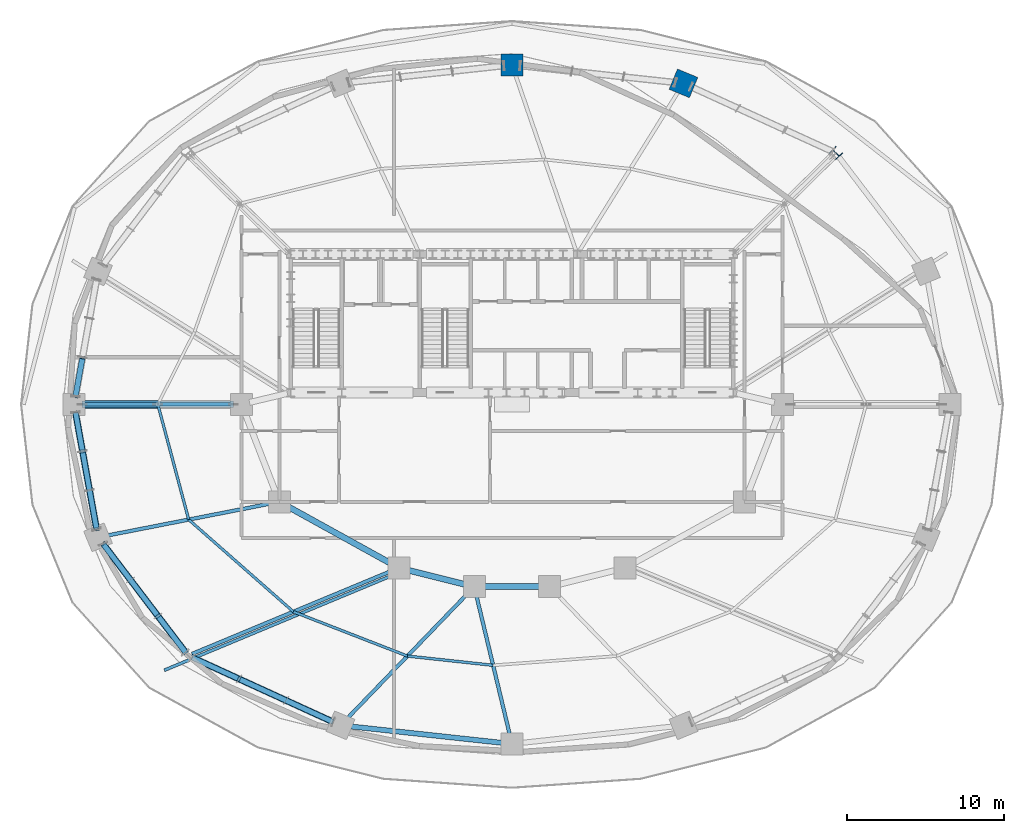
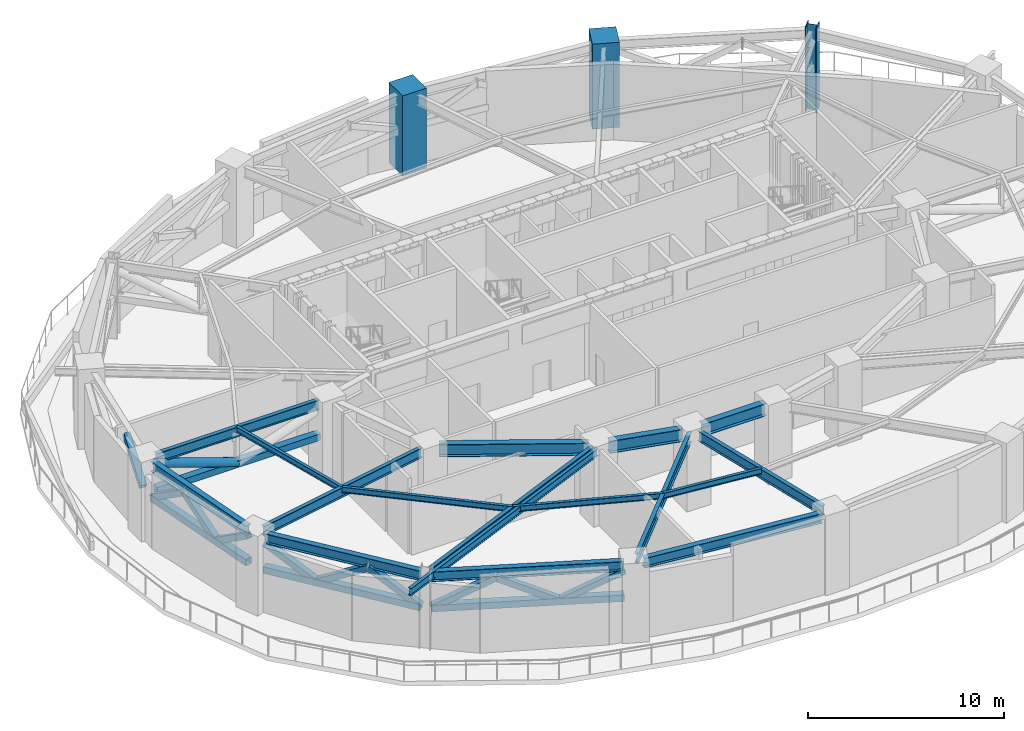
# One storey, part 2 of 18: 17 beams, 15 members, 3 columns.
"""IFC4 building model written with IfcOpenShell, lengths in metres."""

from ifc_helpers import new_model, si_unit, direction, frame, origin, origin_2d, place, context, subcontext, project, spatial, rectangle, hollow_rectangle, hollow_circle, i_section, extrude, material, material_profile, profile_set, type_object, element, save


model = new_model("IFC4")

# Units and contexts
model_context = context("Model", 3, precision=1e-05, world=origin(), true_north=direction((0.0, 1.0)))
body_context = subcontext(model_context, "Body", "Model", "MODEL_VIEW")
ifc_project = project(units=[si_unit("LENGTHUNIT", "METRE"), si_unit("AREAUNIT", "SQUARE_METRE"), si_unit("VOLUMEUNIT", "CUBIC_METRE"), si_unit("PLANEANGLEUNIT", "RADIAN"), si_unit("MASSUNIT", "GRAM", prefix="KILO")], contexts=[model_context])

# Site, building, storey
site_placement = place(None, origin())
site = spatial("IfcSite", under=ifc_project, at=site_placement, CompositionType="ELEMENT")
building_placement = place(site_placement, origin())
building = spatial("IfcBuilding", under=site, at=building_placement, Name="Haldorwick Loom Tower", CompositionType="ELEMENT")
storey_placement = place(building_placement, frame((0.0, 0.0, 76.800048828125)))
storey = spatial("IfcBuildingStorey", under=building, at=storey_placement, Name="L20", CompositionType="ELEMENT", Elevation=76.800048828125)

# Columns
ifc_material_1 = material(Name="Concrete C60 (60 MPa)", Category="concrete")
ifc_material_profile_1 = material_profile(ifc_material_1, rectangle(XDim=1.39990234375, YDim=1.39990234375, at=origin_2d()), Name="RC1400X1400", Category="concrete")
ifc_profile_set_1 = profile_set([ifc_material_profile_1], Name="Concrete C60 (60 MPa)")
column_type_1 = type_object("IfcColumnType", Name="STR-COL-RC1400", PredefinedType="PILASTER", material=ifc_profile_set_1)
column_1_placement = place(storey_placement, frame((46.906494140625, 46.417724609375, -0.300048828125), z_axis=(0.0, 0.0, 1.0), x_axis=(0.382683432365, 0.923879532511, 0.0)))
element("IfcColumn", 1, at=column_1_placement, inside=storey, type_object=column_type_1, Name="L20 Perimeter Pier Column P04", PredefinedType="PILASTER", context=body_context, shape_type="SweptSolid", body=[
    extrude(rectangle(XDim=1.39990234375, YDim=1.39990234375, at=origin_2d()), origin(), (0.0, 0.0, 1.0), 5.300048828125),
])
column_2_placement = place(storey_placement, frame((36.0, 47.598388671875, 0.0), z_axis=(0.0, 0.0, 1.0), x_axis=(0.0, 1.0, 0.0)))
element("IfcColumn", 2, at=column_2_placement, inside=storey, type_object=column_type_1, Name="L20 Perimeter Pier Column P05", PredefinedType="PILASTER", context=body_context, shape_type="SweptSolid", body=[
    extrude(rectangle(XDim=1.39990234375, YDim=1.39990234375, at=origin_2d()), origin(), (0.0, 0.0, 1.0), 5.0),
])
ifc_material_2 = material(Name="Steel CSA G40.21 350WT", Category="steel")
ifc_material_profile_2 = material_profile(ifc_material_2, i_section(OverallWidth=0.60009765625, OverallDepth=0.60009765625, WebThickness=0.02490234375, FlangeThickness=0.035888671875, at=origin_2d()), Name="WWF600X600", Category="steel")
ifc_profile_set_2 = profile_set([ifc_material_profile_2], Name="Steel CSA G40.21 350WT")
column_type_2 = type_object("IfcColumnType", Name="STR-COL-WWF600", PredefinedType="COLUMN", material=ifc_profile_set_2)
column_3_placement = place(storey_placement, frame((56.606689453125, 41.981689453125, -0.300048828125), z_axis=(0.0, 0.0, 1.0), x_axis=(0.707106781187, 0.707106781187, 0.0)))
element("IfcColumn", 3, at=column_3_placement, inside=storey, type_object=column_type_2, Name="L20 Perimeter Pier Column P03", PredefinedType="COLUMN", context=body_context, shape_type="SweptSolid", body=[
    extrude(i_section(OverallWidth=0.60009765625, OverallDepth=0.60009765625, WebThickness=0.02490234375, FlangeThickness=0.035888671875, at=origin_2d()), origin(), (0.0, 0.0, 1.0), 5.300048828125),
])

# Beams
ifc_material_3 = material(Name="Steel CSA G40.21 350W", Category="steel")
ifc_material_profile_3 = material_profile(ifc_material_3, i_section(OverallWidth=0.193115234375, OverallDepth=0.466064453125, WebThickness=0.011474609375, FlangeThickness=0.01904296875, at=origin_2d()), Name="W460X97", Category="steel")
ifc_profile_set_3 = profile_set([ifc_material_profile_3], Name="Steel CSA G40.21 350W")
beam_type_1 = type_object("IfcBeamType", Name="STR-BM-BAL460", PredefinedType="BEAM", material=ifc_profile_set_3)
beam_1_placement = place(storey_placement, frame((28.427490234375, 15.1416015625, 4.52685546875), z_axis=(-0.923185561192, -0.38435454935, 0.0), x_axis=(0.38435454935, -0.923185561192, 0.0)))
element("IfcBeam", 4, at=beam_1_placement, inside=storey, type_object=beam_type_1, Name="L20 Continuous Back-Spanned Balcony Beam 2", PredefinedType="BEAM", context=body_context, shape_type="SweptSolid", body=[
    extrude(i_section(OverallWidth=0.193115234375, OverallDepth=0.466064453125, WebThickness=0.011474609375, FlangeThickness=0.01904296875, at=origin_2d()), origin(), (0.0, 0.0, 1.0), 15.752197265625),
])
ifc_material_profile_4 = material_profile(ifc_material_3, i_section(OverallWidth=0.172119140625, OverallDepth=0.35791015625, WebThickness=0.0078125, FlangeThickness=0.01318359375, at=origin_2d()), Name="W360X57", Category="steel")
ifc_profile_set_4 = profile_set([ifc_material_profile_4], Name="Steel CSA G40.21 350W")
beam_type_2 = type_object("IfcBeamType", Name="STR-BM-J360", PredefinedType="JOIST", material=ifc_profile_set_4)
beam_2_placement = place(storey_placement, frame((13.47119140625, 26.0, 4.5810546875), z_axis=(0.258810072536, -0.965928230436, 0.0), x_axis=(0.965928230436, 0.258810072536, 0.0)))
element("IfcBeam", 5, at=beam_2_placement, inside=storey, type_object=beam_type_2, Name="L20 Mid-Bay Secondary Joist 9", PredefinedType="JOIST", context=body_context, shape_type="SweptSolid", body=[
    extrude(i_section(OverallWidth=0.172119140625, OverallDepth=0.35791015625, WebThickness=0.0078125, FlangeThickness=0.01318359375, at=origin_2d()), origin(), (0.0, 0.0, 1.0), 7.587158203125),
])
beam_3_placement = place(storey_placement, frame((15.434814453125, 18.67138671875, 4.5810546875), z_axis=(0.750721157729, -0.660619212057, 0.0), x_axis=(0.660619212057, 0.750721157729, 0.0)))
element("IfcBeam", 6, at=beam_3_placement, inside=storey, type_object=beam_type_2, Name="L20 Mid-Bay Secondary Joist 10", PredefinedType="JOIST", context=body_context, shape_type="SweptSolid", body=[
    extrude(i_section(OverallWidth=0.172119140625, OverallDepth=0.35791015625, WebThickness=0.0078125, FlangeThickness=0.01318359375, at=origin_2d()), origin(), (0.0, 0.0, 1.0), 8.8740234375),
])
beam_4_placement = place(storey_placement, frame((22.0966796875, 12.80908203125, 4.5810546875), z_axis=(0.932072983051, -0.362270553959, 0.0), x_axis=(0.362270553959, 0.932072983051, 0.0)))
element("IfcBeam", 7, at=beam_4_placement, inside=storey, type_object=beam_type_2, Name="L20 Mid-Bay Secondary Joist 11", PredefinedType="JOIST", context=body_context, shape_type="SweptSolid", body=[
    extrude(i_section(OverallWidth=0.172119140625, OverallDepth=0.35791015625, WebThickness=0.0078125, FlangeThickness=0.01318359375, at=origin_2d()), origin(), (0.0, 0.0, 1.0), 7.7783203125),
])
beam_5_placement = place(storey_placement, frame((29.3466796875, 9.9912109375, 4.5810546875), z_axis=(0.994191869342, -0.107622148904, 0.0), x_axis=(0.107622148904, 0.994191869342, 0.0)))
element("IfcBeam", 8, at=beam_5_placement, inside=storey, type_object=beam_type_2, Name="L20 Mid-Bay Secondary Joist 12", PredefinedType="JOIST", context=body_context, shape_type="SweptSolid", body=[
    extrude(i_section(OverallWidth=0.172119140625, OverallDepth=0.35791015625, WebThickness=0.0078125, FlangeThickness=0.01318359375, at=origin_2d()), origin(), (0.0, 0.0, 1.0), 5.485107421875),
])
ifc_material_profile_5 = material_profile(ifc_material_3, i_section(OverallWidth=0.324951171875, OverallDepth=0.615966796875, WebThickness=0.013916015625, FlangeThickness=0.021484375, at=origin_2d()), Name="W610X174", Category="steel")
ifc_profile_set_5 = profile_set([ifc_material_profile_5], Name="Steel CSA G40.21 350W")
beam_type_3 = type_object("IfcBeamType", Name="STR-BM-SP610", PredefinedType="SPANDREL", material=ifc_profile_set_5)
beam_6_placement = place(storey_placement, frame((8.23486328125, 25.48828125, 4.451904296875), z_axis=(0.177659490888, -0.984092020747, 0.0), x_axis=(0.984092020747, 0.177659490888, 0.0)))
element("IfcBeam", 9, at=beam_6_placement, inside=storey, type_object=beam_type_3, Name="L20 Perimeter Spandrel 9", PredefinedType="SPANDREL", context=body_context, shape_type="SweptSolid", body=[
    extrude(i_section(OverallWidth=0.324951171875, OverallDepth=0.615966796875, WebThickness=0.013916015625, FlangeThickness=0.021484375, at=origin_2d()), origin(), (0.0, 0.0, 1.0), 7.553955078125),
])
beam_7_placement = place(storey_placement, frame((9.984130859375, 17.12890625, 4.451904296875), z_axis=(0.605453508047, -0.795880675475, 0.0), x_axis=(0.795880675475, 0.605453508047, 0.0)))
element("IfcBeam", 10, at=beam_7_placement, inside=storey, type_object=beam_type_3, Name="L20 Perimeter Spandrel 10", PredefinedType="SPANDREL", context=body_context, shape_type="SweptSolid", body=[
    extrude(i_section(OverallWidth=0.324951171875, OverallDepth=0.615966796875, WebThickness=0.013916015625, FlangeThickness=0.021484375, at=origin_2d()), origin(), (0.0, 0.0, 1.0), 8.6591796875),
])
beam_8_placement = place(storey_placement, frame((15.643310546875, 9.90380859375, 4.451904296875), z_axis=(0.909423969306, -0.415870225011, 0.0), x_axis=(0.415870225011, 0.909423969306, 0.0)))
element("IfcBeam", 11, at=beam_8_placement, inside=storey, type_object=beam_type_3, Name="L20 Perimeter Spandrel 11", PredefinedType="SPANDREL", context=body_context, shape_type="SweptSolid", body=[
    extrude(i_section(OverallWidth=0.324951171875, OverallDepth=0.615966796875, WebThickness=0.013916015625, FlangeThickness=0.021484375, at=origin_2d()), origin(), (0.0, 0.0, 1.0), 9.871337890625),
])
beam_9_placement = place(storey_placement, frame((25.610595703125, 5.5263671875, 4.451904296875), z_axis=(0.994190135627, -0.107638163409, 0.0), x_axis=(0.107638163409, 0.994190135627, 0.0)))
element("IfcBeam", 12, at=beam_9_placement, inside=storey, type_object=beam_type_3, Name="L20 Perimeter Spandrel 12", PredefinedType="SPANDREL", context=body_context, shape_type="SweptSolid", body=[
    extrude(i_section(OverallWidth=0.324951171875, OverallDepth=0.615966796875, WebThickness=0.013916015625, FlangeThickness=0.021484375, at=origin_2d()), origin(), (0.0, 0.0, 1.0), 9.929931640625),
])
ifc_material_profile_6 = material_profile(ifc_material_3, i_section(OverallWidth=0.22998046875, OverallDepth=0.616943359375, WebThickness=0.01318359375, FlangeThickness=0.022216796875, at=origin_2d()), Name="W610X140", Category="steel")
ifc_profile_set_6 = profile_set([ifc_material_profile_6], Name="Steel CSA G40.21 350W")
beam_type_4 = type_object("IfcBeamType", Name="STR-BM-W610B", PredefinedType="BEAM", material=ifc_profile_set_6)
beam_10_placement = place(storey_placement, frame((18.280029296875, 26.0, 4.451416015625), z_axis=(-1.0, 0.0, 0.0), x_axis=(0.0, -1.0, 0.0)))
element("IfcBeam", 13, at=beam_10_placement, inside=storey, type_object=beam_type_4, Name="L20 Radial Floor Girder 9", PredefinedType="BEAM", context=body_context, shape_type="SweptSolid", body=[
    extrude(i_section(OverallWidth=0.22998046875, OverallDepth=0.616943359375, WebThickness=0.01318359375, FlangeThickness=0.022216796875, at=origin_2d()), origin(), (0.0, 0.0, 1.0), 9.61767578125),
])
beam_11_placement = place(storey_placement, frame((20.689697265625, 19.7001953125, 4.451416015625), z_axis=(-0.981369581426, -0.192129499692, 0.0), x_axis=(0.192129499692, -0.981369581426, 0.0)))
element("IfcBeam", 14, at=beam_11_placement, inside=storey, type_object=beam_type_4, Name="L20 Radial Floor Girder 10", PredefinedType="BEAM", context=body_context, shape_type="SweptSolid", body=[
    extrude(i_section(OverallWidth=0.22998046875, OverallDepth=0.616943359375, WebThickness=0.01318359375, FlangeThickness=0.022216796875, at=origin_2d()), origin(), (0.0, 0.0, 1.0), 10.70947265625),
])
beam_12_placement = place(storey_placement, frame((28.31982421875, 15.400146484375, 4.451416015625), z_axis=(-0.923183704764, -0.384359008297, 0.0), x_axis=(0.384359008297, -0.923183704764, 0.0)))
element("IfcBeam", 15, at=beam_12_placement, inside=storey, type_object=beam_type_4, Name="L20 Radial Floor Girder 11", PredefinedType="BEAM", context=body_context, shape_type="SweptSolid", body=[
    extrude(i_section(OverallWidth=0.22998046875, OverallDepth=0.616943359375, WebThickness=0.01318359375, FlangeThickness=0.022216796875, at=origin_2d()), origin(), (0.0, 0.0, 1.0), 13.72705078125),
])
beam_13_placement = place(storey_placement, frame((33.239013671875, 14.02587890625, 4.451416015625), z_axis=(-0.694287071595, -0.719698174387, 0.0), x_axis=(0.719698174387, -0.694287071595, 0.0)))
element("IfcBeam", 16, at=beam_13_placement, inside=storey, type_object=beam_type_4, Name="L20 Radial Floor Girder 12", PredefinedType="BEAM", context=body_context, shape_type="SweptSolid", body=[
    extrude(i_section(OverallWidth=0.22998046875, OverallDepth=0.616943359375, WebThickness=0.01318359375, FlangeThickness=0.022216796875, at=origin_2d()), origin(), (0.0, 0.0, 1.0), 11.212158203125),
])
beam_14_placement = place(storey_placement, frame((33.721435546875, 13.894287109375, 4.451416015625), z_axis=(0.233406920764, -0.972379148964, 0.0), x_axis=(0.972379148964, 0.233406920764, 0.0)))
element("IfcBeam", 17, at=beam_14_placement, inside=storey, type_object=beam_type_4, Name="L20 Radial Floor Girder 13", PredefinedType="BEAM", context=body_context, shape_type="SweptSolid", body=[
    extrude(i_section(OverallWidth=0.22998046875, OverallDepth=0.616943359375, WebThickness=0.01318359375, FlangeThickness=0.022216796875, at=origin_2d()), origin(), (0.0, 0.0, 1.0), 9.242431640625),
])
ifc_material_profile_7 = material_profile(ifc_material_3, i_section(OverallWidth=0.381103515625, OverallDepth=0.77294921875, WebThickness=0.0166015625, FlangeThickness=0.027587890625, at=origin_2d()), Name="W760X257", Category="steel")
ifc_profile_set_7 = profile_set([ifc_material_profile_7], Name="Steel CSA G40.21 350W")
beam_type_5 = type_object("IfcBeamType", Name="STR-BM-W760", PredefinedType="BEAM", material=ifc_profile_set_7)
beam_15_placement = place(storey_placement, frame((37.8798828125, 14.39990234375, 4.37353515625), z_axis=(-1.0, 0.0, 0.0), x_axis=(0.0, -1.0, 0.0)))
element("IfcBeam", 18, at=beam_15_placement, inside=storey, type_object=beam_type_5, Name="L20 Inner Ring Girder 5", PredefinedType="BEAM", context=body_context, shape_type="SweptSolid", body=[
    extrude(i_section(OverallWidth=0.381103515625, OverallDepth=0.77294921875, WebThickness=0.0166015625, FlangeThickness=0.027587890625, at=origin_2d()), origin(), (0.0, 0.0, 1.0), 3.759765625),
])
beam_16_placement = place(storey_placement, frame((33.095458984375, 14.526123046875, 4.37353515625), z_axis=(-0.970142500145, 0.242535625036, 0.0), x_axis=(-0.242535625036, -0.970142500145, 0.0)))
element("IfcBeam", 19, at=beam_16_placement, inside=storey, type_object=beam_type_5, Name="L20 Inner Ring Girder 6", PredefinedType="BEAM", context=body_context, shape_type="SweptSolid", body=[
    extrude(i_section(OverallWidth=0.381103515625, OverallDepth=0.77294921875, WebThickness=0.0166015625, FlangeThickness=0.027587890625, at=origin_2d()), origin(), (0.0, 0.0, 1.0), 3.90771484375),
])
beam_17_placement = place(storey_placement, frame((28.344970703125, 15.8515625, 4.37353515625), z_axis=(-0.875244382146, 0.483680960471, 0.0), x_axis=(-0.483680960471, -0.875244382146, 0.0)))
element("IfcBeam", 20, at=beam_17_placement, inside=storey, type_object=beam_type_5, Name="L20 Inner Ring Girder 7", PredefinedType="BEAM", context=body_context, shape_type="SweptSolid", body=[
    extrude(i_section(OverallWidth=0.381103515625, OverallDepth=0.77294921875, WebThickness=0.0166015625, FlangeThickness=0.027587890625, at=origin_2d()), origin(), (0.0, 0.0, 1.0), 7.6435546875),
])

# Members
ifc_material_profile_8 = material_profile(ifc_material_3, hollow_rectangle(XDim=0.355712890625, YDim=0.355712890625, WallThickness=0.015869140625, at=origin_2d()), Name="HSS356X356X16", Category="steel")
ifc_profile_set_8 = profile_set([ifc_material_profile_8], Name="Steel CSA G40.21 350W")
member_type_1 = type_object("IfcMemberType", Name="STR-MEM-BR356", PredefinedType="BRACE", material=ifc_profile_set_8)
for number, where, z_axis, x_axis, name in (
    (21, (8.68212890625, 28.98974609375, 4.14404296875), (-0.148729188823, -0.8240181586, -0.546693426602), (0.984098690471, -0.177622541965, 0.0), "L20 Perimeter Belt Truss Web Diagonal 8-3"),
    (22, (8.23486328125, 25.48828125, 2.5), (0.148729188823, -0.8240181586, 0.546693426602), (0.984098690471, 0.177622541965, 0.0), "L20 Perimeter Belt Truss Web Diagonal 9-1"),
):
    element("IfcMember", number, at=place(storey_placement, frame(where, z_axis=z_axis, x_axis=x_axis)), inside=storey, type_object=member_type_1, Name=name, PredefinedType="BRACE", context=body_context, shape_type="SweptSolid", body=[
        extrude(hollow_rectangle(XDim=0.355712890625, YDim=0.355712890625, WallThickness=0.015869140625, at=origin_2d()), origin(), (0.0, 0.0, 1.0), 3.00732421875),
    ])
member_1_placement = place(storey_placement, frame((8.68212890625, 23.01025390625, 4.14404296875), z_axis=(0.148818530754, -0.823982143275, -0.546723396671), x_axis=(0.984078676094, 0.177733393761, 0.0)))
element("IfcMember", 23, at=member_1_placement, inside=storey, type_object=member_type_1, Name="L20 Perimeter Belt Truss Web Diagonal 9-2", PredefinedType="BRACE", context=body_context, shape_type="SweptSolid", body=[
    extrude(hollow_rectangle(XDim=0.355712890625, YDim=0.355712890625, WallThickness=0.015869140625, at=origin_2d()), origin(), (0.0, 0.0, 1.0), 3.007080078125),
])
member_2_placement = place(storey_placement, frame((9.129638671875, 20.532470703125, 2.5), z_axis=(0.148729188823, -0.8240181586, 0.546693426602), x_axis=(0.984098690471, 0.177622541965, 0.0)))
element("IfcMember", 24, at=member_2_placement, inside=storey, type_object=member_type_1, Name="L20 Perimeter Belt Truss Web Diagonal 9-3", PredefinedType="BRACE", context=body_context, shape_type="SweptSolid", body=[
    extrude(hollow_rectangle(XDim=0.355712890625, YDim=0.355712890625, WallThickness=0.015869140625, at=origin_2d()), origin(), (0.0, 0.0, 1.0), 3.00732421875),
])
for number, where, z_axis, x_axis, name in (
    (25, (9.984130859375, 17.12890625, 4.14404296875), (0.526079233479, -0.691590610092, -0.49491723362), (0.795901344986, 0.6054263366, 0.0), "L20 Perimeter Belt Truss Web Diagonal 10-1"),
    (26, (11.731689453125, 14.83154296875, 2.5), (0.526105973993, -0.691552264501, 0.494942390175), (0.795870339675, 0.60546709442, 0.0), "L20 Perimeter Belt Truss Web Diagonal 10-2"),
    (27, (13.479248046875, 12.534423828125, 4.14404296875), (0.526105973993, -0.691552264501, -0.494942390175), (0.795870339675, 0.60546709442, 0.0), "L20 Perimeter Belt Truss Web Diagonal 10-3"),
):
    element("IfcMember", number, at=place(storey_placement, frame(where, z_axis=z_axis, x_axis=x_axis)), inside=storey, type_object=member_type_1, Name=name, PredefinedType="BRACE", context=body_context, shape_type="SweptSolid", body=[
        extrude(hollow_rectangle(XDim=0.355712890625, YDim=0.355712890625, WallThickness=0.015869140625, at=origin_2d()), origin(), (0.0, 0.0, 1.0), 3.32177734375),
    ])
for number, where, z_axis, x_axis, name in (
    (28, (15.643310546875, 9.90380859375, 2.5), (0.813531343432, -0.372019513742, 0.446954398847), (0.415870225011, 0.909423969306, 0.0), "L20 Perimeter Belt Truss Web Diagonal 11-1"),
    (29, (18.6357421875, 8.535400390625, 4.14404296875), (0.813531343432, -0.372019513742, -0.446954398847), (0.415870225011, 0.909423969306, 0.0), "L20 Perimeter Belt Truss Web Diagonal 11-2"),
    (30, (21.628173828125, 7.1669921875, 2.5), (0.813531343432, -0.372019513742, 0.446954398847), (0.415870225011, 0.909423969306, 0.0), "L20 Perimeter Belt Truss Web Diagonal 11-3"),
):
    element("IfcMember", number, at=place(storey_placement, frame(where, z_axis=z_axis, x_axis=x_axis)), inside=storey, type_object=member_type_1, Name=name, PredefinedType="BRACE", context=body_context, shape_type="SweptSolid", body=[
        extrude(hollow_rectangle(XDim=0.355712890625, YDim=0.355712890625, WallThickness=0.015869140625, at=origin_2d()), origin(), (0.0, 0.0, 1.0), 3.67822265625),
    ])
ifc_material_profile_9 = material_profile(ifc_material_3, hollow_circle(Radius=0.25390625, WallThickness=0.015869140625, at=origin_2d()), Name="HSS508X16", Category="steel")
ifc_profile_set_9 = profile_set([ifc_material_profile_9], Name="Steel CSA G40.21 350W")
member_type_2 = type_object("IfcMemberType", Name="STR-MEM-BR508", PredefinedType="BRACE", material=ifc_profile_set_9)
member_3_placement = place(storey_placement, frame((13.47119140625, 26.0, 2.5), z_axis=(-0.946288205536, 0.0, 0.32332434499), x_axis=(0.0, -1.0, 0.0)))
element("IfcMember", 31, at=member_3_placement, inside=storey, type_object=member_type_2, Name="L20 Outrigger OT-W Outer Diagonal", PredefinedType="BRACE", context=body_context, shape_type="SweptSolid", body=[
    extrude(hollow_circle(Radius=0.25390625, WallThickness=0.015869140625, at=origin_2d()), origin(), (0.0, 0.0, 1.0), 5.081787109375),
])
ifc_material_profile_10 = material_profile(ifc_material_3, hollow_rectangle(XDim=0.406494140625, YDim=0.406494140625, WallThickness=0.015869140625, at=origin_2d()), Name="HSS406X406X16", Category="steel")
ifc_profile_set_10 = profile_set([ifc_material_profile_10], Name="Steel CSA G40.21 350W")
member_type_3 = type_object("IfcMemberType", Name="STR-MEM-CH406", PredefinedType="CHORD", material=ifc_profile_set_10)
member_4_placement = place(storey_placement, frame((8.23486328125, 25.48828125, 2.5), z_axis=(0.177659490888, -0.984092020747, 0.0), x_axis=(0.984092020747, 0.177659490888, 0.0)))
element("IfcMember", 32, at=member_4_placement, inside=storey, type_object=member_type_3, Name="L20 Perimeter Belt Truss Bottom Chord 9", PredefinedType="CHORD", context=body_context, shape_type="SweptSolid", body=[
    extrude(hollow_rectangle(XDim=0.406494140625, YDim=0.406494140625, WallThickness=0.015869140625, at=origin_2d()), origin(), (0.0, 0.0, 1.0), 7.553955078125),
])
member_5_placement = place(storey_placement, frame((9.984130859375, 17.12890625, 2.5), z_axis=(0.605453508047, -0.795880675475, 0.0), x_axis=(0.795880675475, 0.605453508047, 0.0)))
element("IfcMember", 33, at=member_5_placement, inside=storey, type_object=member_type_3, Name="L20 Perimeter Belt Truss Bottom Chord 10", PredefinedType="CHORD", context=body_context, shape_type="SweptSolid", body=[
    extrude(hollow_rectangle(XDim=0.406494140625, YDim=0.406494140625, WallThickness=0.015869140625, at=origin_2d()), origin(), (0.0, 0.0, 1.0), 8.6591796875),
])
member_6_placement = place(storey_placement, frame((15.643310546875, 9.90380859375, 2.5), z_axis=(0.909423969306, -0.415870225011, 0.0), x_axis=(0.415870225011, 0.909423969306, 0.0)))
element("IfcMember", 34, at=member_6_placement, inside=storey, type_object=member_type_3, Name="L20 Perimeter Belt Truss Bottom Chord 11", PredefinedType="CHORD", context=body_context, shape_type="SweptSolid", body=[
    extrude(hollow_rectangle(XDim=0.406494140625, YDim=0.406494140625, WallThickness=0.015869140625, at=origin_2d()), origin(), (0.0, 0.0, 1.0), 9.871337890625),
])
member_7_placement = place(storey_placement, frame((18.280029296875, 26.0, 2.5), z_axis=(-1.0, 0.0, 0.0), x_axis=(0.0, -1.0, 0.0)))
element("IfcMember", 35, at=member_7_placement, inside=storey, type_object=member_type_3, Name="L20 Outrigger OT-W Bottom Chord", PredefinedType="CHORD", context=body_context, shape_type="SweptSolid", body=[
    extrude(hollow_rectangle(XDim=0.406494140625, YDim=0.406494140625, WallThickness=0.015869140625, at=origin_2d()), origin(), (0.0, 0.0, 1.0), 9.61767578125),
])

save(model, "model.ifc")
